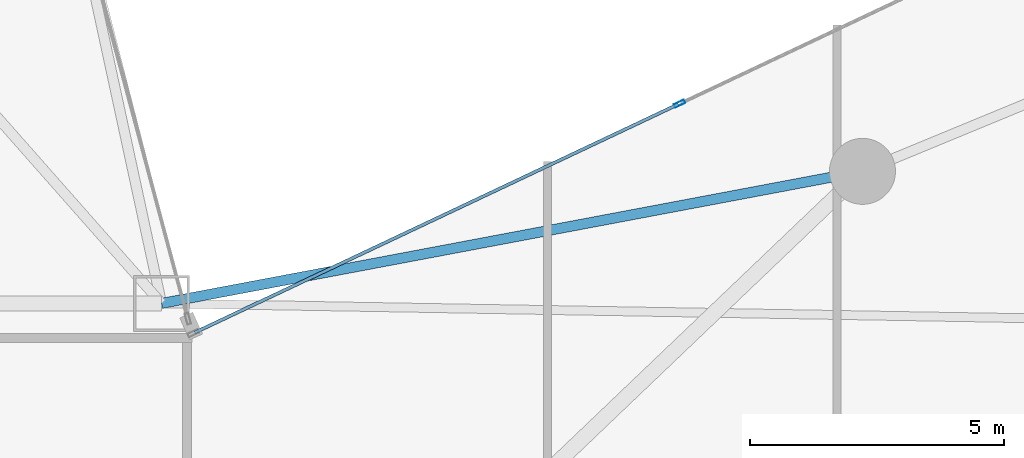
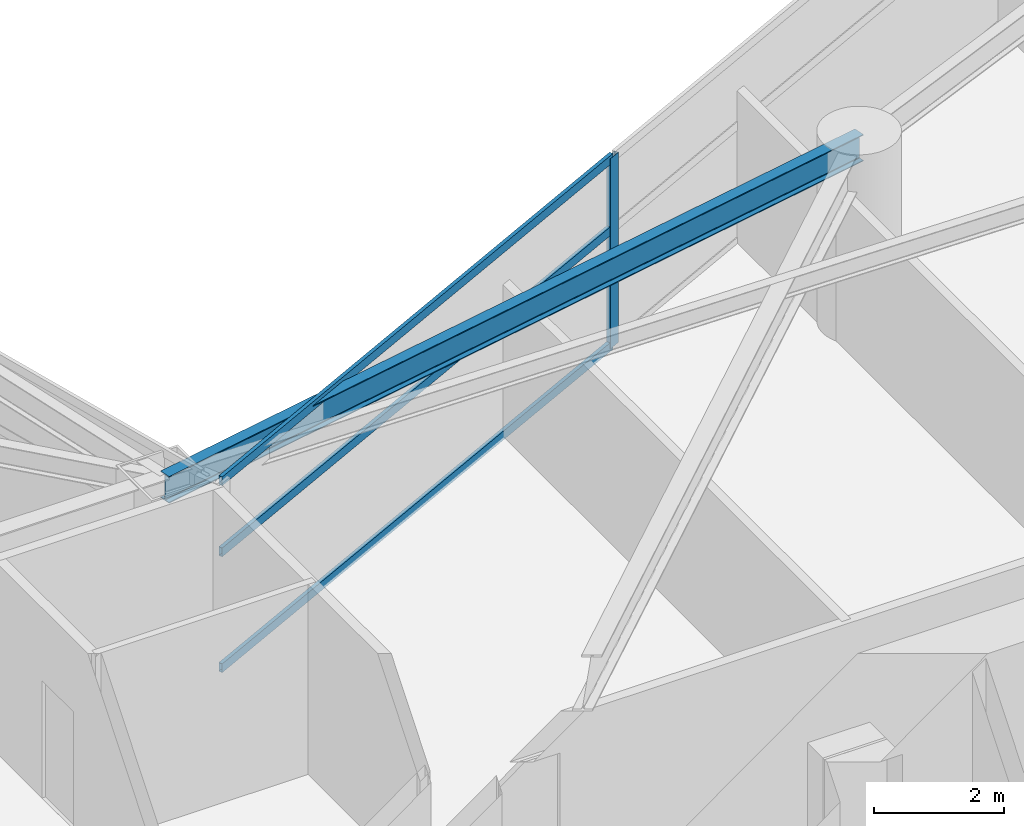
# One storey, part 11 of 30: 4 members, 1 beam, 1 element without a shape of its own.
"""IFC4 building model written with IfcOpenShell, lengths in metres."""

from ifc_helpers import new_model, si_unit, direction, frame, origin, origin_2d, place, context, subcontext, project, spatial, hollow_rectangle, i_section, extrude, material, layer, layer_set, material_profile, profile_set, type_object, element, aggregate, save


model = new_model("IFC4")

# Units and contexts
model_context = context("Model", 3, precision=1e-05, world=origin(), true_north=direction((0.0, 1.0)))
body_context = subcontext(model_context, "Body", "Model", "MODEL_VIEW")
ifc_project = project(units=[si_unit("LENGTHUNIT", "METRE"), si_unit("AREAUNIT", "SQUARE_METRE"), si_unit("VOLUMEUNIT", "CUBIC_METRE"), si_unit("PLANEANGLEUNIT", "RADIAN"), si_unit("MASSUNIT", "GRAM", prefix="KILO")], contexts=[model_context])

# Site, building, storey
site_placement = place(None, origin())
site = spatial("IfcSite", under=ifc_project, at=site_placement, CompositionType="ELEMENT")
building_placement = place(site_placement, origin())
building = spatial("IfcBuilding", under=site, at=building_placement, Name="Calvorn Quay Hotel", CompositionType="ELEMENT")
storey_placement = place(building_placement, frame((0.0, 0.0, 50.800048828125)))
storey = spatial("IfcBuildingStorey", under=building, at=storey_placement, Name="L11", CompositionType="ELEMENT", Elevation=50.800048828125)

# Beam
ifc_material_1 = material(Name="Steel Q355B", Category="steel")
ifc_material_profile_1 = material_profile(ifc_material_1, i_section(OverallWidth=0.199951171875, OverallDepth=0.5, WebThickness=0.010009765625, FlangeThickness=0.01611328125, FilletRadius=0.01611328125, at=origin_2d()), Name="HN500x200x10x16")
ifc_profile_set_1 = profile_set([ifc_material_profile_1], Name="Steel Q355B")
beam_type = type_object("IfcBeamType", Name="BM-SPANDREL-Z1", PredefinedType="SPANDREL", material=ifc_profile_set_1)
beam_placement = place(storey_placement, frame((34.800048828125, 27.60009765625, 3.2900390625), z_axis=(-0.982709432406, -0.185154452988, 0.0), x_axis=(0.185154452988, -0.982709432406, 0.0)))
element("IfcBeam", 1, at=beam_placement, inside=storey, type_object=beam_type, Name="Beam BSP-L11-E5", PredefinedType="SPANDREL", context=body_context, shape_type="SweptSolid", body=[
    extrude(i_section(OverallWidth=0.199951171875, OverallDepth=0.5, WebThickness=0.010009765625, FlangeThickness=0.01611328125, FilletRadius=0.01611328125, at=origin_2d()), origin(), (0.0, 0.0, 1.0), 14.04296875),
])

# Curtain wall, members
ifc_material_2 = material(Name="Pale Anodised Aluminium and Low-E Glass", Category="aluminium")
ifc_layer = layer(ifc_material_2, 0.219970703125)
ifc_layer_set = layer_set([ifc_layer], Name="CW-SYS-Z1")
curtain_wall_type = type_object("IfcCurtainWallType", Name="CW-SYS-Z1", PredefinedType="NOTDEFINED", material=ifc_layer_set)
curtain_wall_placement = place(storey_placement, origin())
curtain_wall = element("IfcCurtainWall", 2, at=curtain_wall_placement, inside=storey, type_object=curtain_wall_type, Name="Inner Court Curtain Wall L11-NE1", PredefinedType="NOTDEFINED")
ifc_material_3 = material(Name="Pale Anodised Aluminium 6063-T6", Category="aluminium")
ifc_material_profile_2 = material_profile(ifc_material_3, hollow_rectangle(XDim=0.074951171875, YDim=0.219970703125, WallThickness=0.00439453125, at=origin_2d()), Name="ALU-M220x75x4.5")
ifc_profile_set_2 = profile_set([ifc_material_profile_2], Name="Pale Anodised Aluminium 6063-T6")
member_type_1 = type_object("IfcMemberType", Name="CW-SYS-Z1-MUL", PredefinedType="MULLION", material=ifc_profile_set_2)
member_1_placement = place(storey_placement, frame((31.199951171875, 28.933349609375, 0.0), z_axis=(0.0, 0.0, 1.0), x_axis=(0.427006305415, -0.904248646743, 0.0)))
member_1 = element("IfcMember", 3, at=member_1_placement, type_object=member_type_1, Name="CW-L11-NE1 mullion 3", PredefinedType="MULLION", context=body_context, shape_type="SweptSolid", body=[
    extrude(hollow_rectangle(XDim=0.074951171875, YDim=0.219970703125, WallThickness=0.00439453125, at=origin_2d()), origin(), (0.0, 0.0, 1.0), 3.56005859375),
])
ifc_material_4 = material(Name="Pale Anodised Aluminium 6063-T6", Category="aluminium")
ifc_material_profile_3 = material_profile(ifc_material_4, hollow_rectangle(XDim=0.06494140625, YDim=0.1650390625, WallThickness=0.00341796875, at=origin_2d()), Name="ALU-T165x65x3.5")
ifc_profile_set_3 = profile_set([ifc_material_profile_3], Name="Pale Anodised Aluminium 6063-T6")
member_type_2 = type_object("IfcMemberType", Name="CW-SYS-Z1-TRN", PredefinedType="USERDEFINED", material=ifc_profile_set_3)
member_2_placement = place(storey_placement, frame((31.1728515625, 28.92041015625, 0.030029296875), z_axis=(-0.904248646746, -0.427006305408, 0.0), x_axis=(0.427006305408, -0.904248646746, 0.0)))
member_2 = element("IfcMember", 4, at=member_2_placement, type_object=member_type_2, Name="CW-L11-NE1 transom 3.1", ObjectType="TRANSOM", PredefinedType="USERDEFINED", context=body_context, shape_type="SweptSolid", body=[
    extrude(hollow_rectangle(XDim=0.06494140625, YDim=0.1650390625, WallThickness=0.00341796875, at=origin_2d()), origin(), (0.0, 0.0, 1.0), 10.5263671875),
])
member_3_placement = place(storey_placement, frame((31.1728515625, 28.92041015625, 2.199951171875), z_axis=(-0.904248646746, -0.427006305408, 0.0), x_axis=(0.427006305408, -0.904248646746, 0.0)))
member_3 = element("IfcMember", 5, at=member_3_placement, type_object=member_type_2, Name="CW-L11-NE1 transom 3.2", ObjectType="TRANSOM", PredefinedType="USERDEFINED", context=body_context, shape_type="SweptSolid", body=[
    extrude(hollow_rectangle(XDim=0.06494140625, YDim=0.1650390625, WallThickness=0.00341796875, at=origin_2d()), origin(), (0.0, 0.0, 1.0), 10.5263671875),
])
member_4_placement = place(storey_placement, frame((31.1728515625, 28.92041015625, 3.530029296875), z_axis=(-0.904248646746, -0.427006305408, 0.0), x_axis=(0.427006305408, -0.904248646746, 0.0)))
member_4 = element("IfcMember", 6, at=member_4_placement, type_object=member_type_2, Name="CW-L11-NE1 transom 3.3", ObjectType="TRANSOM", PredefinedType="USERDEFINED", context=body_context, shape_type="SweptSolid", body=[
    extrude(hollow_rectangle(XDim=0.06494140625, YDim=0.1650390625, WallThickness=0.00341796875, at=origin_2d()), origin(), (0.0, 0.0, 1.0), 10.5263671875),
])
aggregate(curtain_wall, [member_1, member_2, member_3, member_4])

save(model, "model.ifc")
